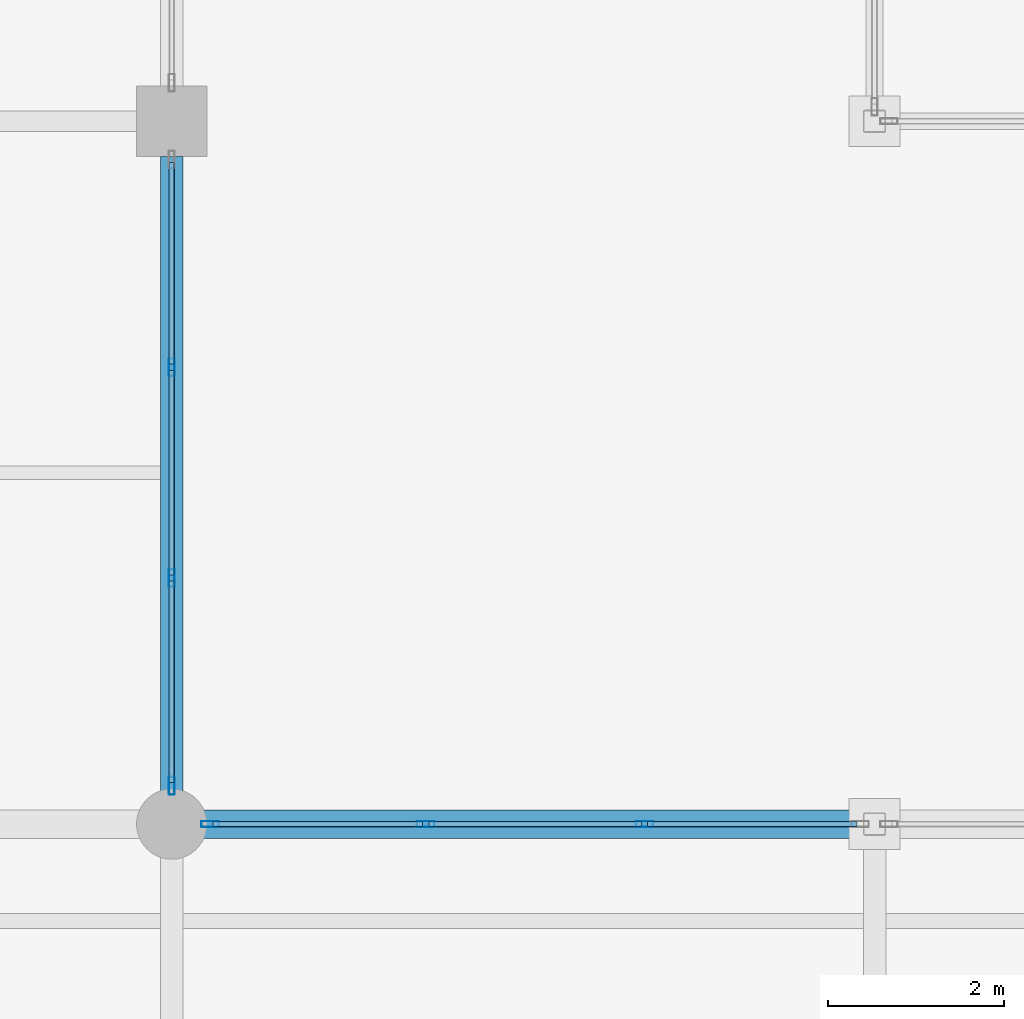
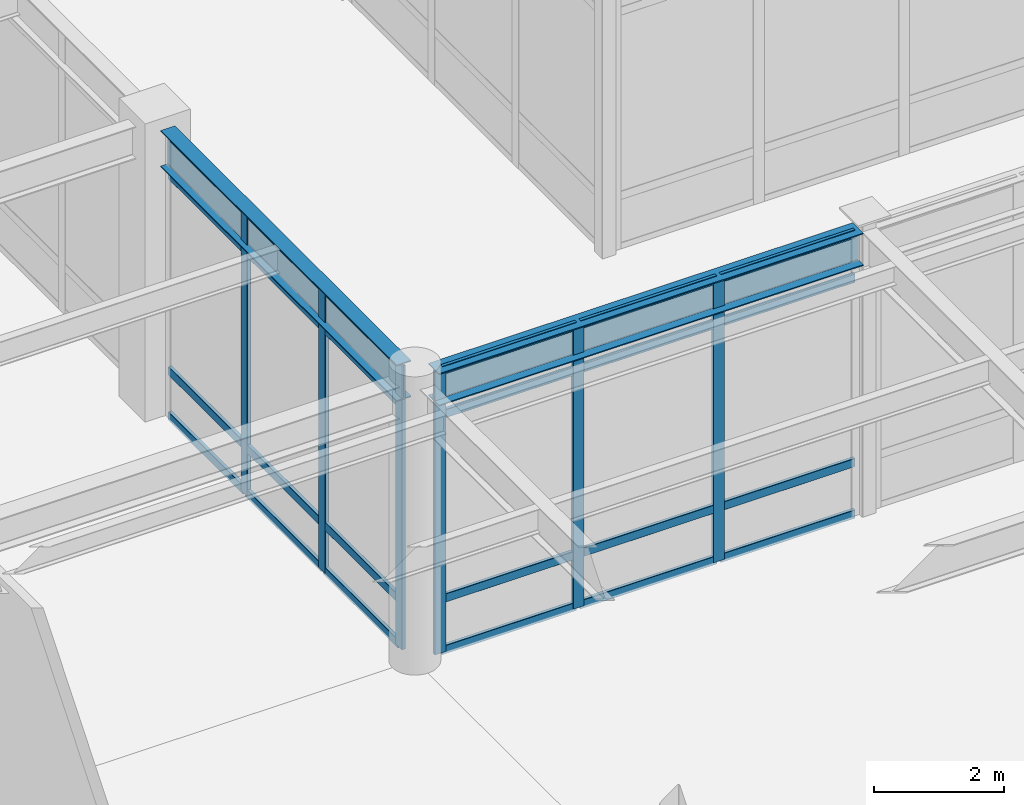
# One storey, part 53 of 128: 30 members, 2 beams, 2 elements without a shape of their own.
"""IFC4 building model written with IfcOpenShell, lengths in metres."""

from ifc_helpers import new_model, si_unit, direction, frame, origin, origin_2d, place, context, subcontext, project, spatial, hollow_rectangle, i_section, extrude, material, material_profile, profile_set, type_object, element, aggregate, save


model = new_model("IFC4")

# Units and contexts
model_context = context("Model", 3, precision=1e-05, world=origin(), true_north=direction((0.0, 1.0)))
body_context = subcontext(model_context, "Body", "Model", "MODEL_VIEW")
ifc_project = project(units=[si_unit("LENGTHUNIT", "METRE"), si_unit("AREAUNIT", "SQUARE_METRE"), si_unit("VOLUMEUNIT", "CUBIC_METRE"), si_unit("PLANEANGLEUNIT", "RADIAN"), si_unit("MASSUNIT", "GRAM", prefix="KILO")], contexts=[model_context])

# Site, building, storey
site_placement = place(None, origin())
site = spatial("IfcSite", under=ifc_project, at=site_placement, CompositionType="ELEMENT")
building_placement = place(site_placement, origin())
building = spatial("IfcBuilding", under=site, at=building_placement, Name="Solmirada Galleria", CompositionType="ELEMENT")
storey_placement = place(building_placement, origin())
storey = spatial("IfcBuildingStorey", under=building, at=storey_placement, Name="L00", CompositionType="ELEMENT", Elevation=0.0)

# Beams
ifc_material_1 = material(Name="Steel S355 / ASTM A992 Grade 50", Category="steel")
ifc_material_profile_1 = material_profile(ifc_material_1, i_section(OverallWidth=0.323974609375, OverallDepth=0.611083984375, WebThickness=0.0126953125, FlangeThickness=0.01904296875, FilletRadius=0.014892578125, at=origin_2d()), Name="W24X104")
ifc_profile_set_1 = profile_set([ifc_material_profile_1], Name="Steel S355 / ASTM A992 Grade 50")
beam_type_1 = type_object("IfcBeamType", Name="BM-GIRD-W24A", PredefinedType="BEAM", material=ifc_profile_set_1)
beam_1_placement = place(storey_placement, frame((112.3359375, 48.0, 5.054443359375), z_axis=(1.0, 0.0, 0.0), x_axis=(0.0, 1.0, 0.0)))
element("IfcBeam", 1, at=beam_1_placement, inside=storey, type_object=beam_type_1, Name="Primary beam L01 X(112..120, 48)", PredefinedType="BEAM", context=body_context, shape_type="SweptSolid", body=[
    extrude(i_section(OverallWidth=0.323974609375, OverallDepth=0.611083984375, WebThickness=0.0126953125, FlangeThickness=0.01904296875, FilletRadius=0.014892578125, at=origin_2d()), origin(), (0.0, 0.0, 1.0), 7.537109375),
])
ifc_material_profile_2 = material_profile(ifc_material_1, i_section(OverallWidth=0.25390625, OverallDepth=0.68408203125, WebThickness=0.012451171875, FlangeThickness=0.018798828125, FilletRadius=0.01708984375, at=origin_2d()), Name="W27X94")
ifc_profile_set_2 = profile_set([ifc_material_profile_2], Name="Steel S355 / ASTM A992 Grade 50")
beam_type_2 = type_object("IfcBeamType", Name="BM-GIRD-W27B", PredefinedType="BEAM", material=ifc_profile_set_2)
beam_2_placement = place(storey_placement, frame((112.0, 48.3359375, 5.0380859375), z_axis=(0.0, 1.0, 0.0), x_axis=(-1.0, 0.0, 0.0)))
element("IfcBeam", 2, at=beam_2_placement, inside=storey, type_object=beam_type_2, Name="Primary girder L01 Y(112, 48..56)", PredefinedType="BEAM", context=body_context, shape_type="SweptSolid", body=[
    extrude(i_section(OverallWidth=0.25390625, OverallDepth=0.68408203125, WebThickness=0.012451171875, FlangeThickness=0.018798828125, FilletRadius=0.01708984375, at=origin_2d()), origin(), (0.0, 0.0, 1.0), 7.26416015625),
])

# Curtain wall, members
ifc_material_2 = material(Name="Impact-resistant low-E double glazing", Category="glass")
curtain_wall_type_1 = type_object("IfcCurtainWallType", Name="CW-FZ3-L00-B3-L072", PredefinedType="NOTDEFINED", material=ifc_material_2)
curtain_wall_1_placement = place(storey_placement, origin())
curtain_wall_1 = element("IfcCurtainWall", 3, at=curtain_wall_1_placement, inside=storey, type_object=curtain_wall_type_1, Name="Terrace and arcade storefront CW-L00-018", PredefinedType="NOTDEFINED")
ifc_material_3 = material(Name="Anodised aluminium framing", Category="aluminium")
ifc_material_profile_3 = material_profile(ifc_material_3, hollow_rectangle(XDim=0.070068359375, YDim=0.199951171875, WallThickness=0.004150390625, InnerFilletRadius=0.004150390625, OuterFilletRadius=0.00830078125, at=origin_2d()), Name="ALU-MULL-200X70")
ifc_profile_set_3 = profile_set([ifc_material_profile_3], Name="Anodised aluminium framing")
member_type_1 = type_object("IfcMemberType", Name="CW-MULL-200", PredefinedType="MULLION", material=ifc_profile_set_3)
member_1_placement = place(storey_placement, frame((112.0, 53.19921875, 0.0), z_axis=(0.0, 0.0, 1.0), x_axis=(1.0, 0.0, 0.0)))
member_1 = element("IfcMember", 4, at=member_1_placement, type_object=member_type_1, Name="CW01 mullion 2", PredefinedType="MULLION", context=body_context, shape_type="SweptSolid", body=[
    extrude(hollow_rectangle(XDim=0.070068359375, YDim=0.199951171875, WallThickness=0.004150390625, InnerFilletRadius=0.004150390625, OuterFilletRadius=0.00830078125, at=origin_2d()), origin(), (0.0, 0.0, 1.0), 5.320068359375),
])
member_2_placement = place(storey_placement, frame((112.0, 50.80078125, 0.0), z_axis=(0.0, 0.0, 1.0), x_axis=(1.0, 0.0, 0.0)))
member_2 = element("IfcMember", 5, at=member_2_placement, type_object=member_type_1, Name="CW01 mullion 3", PredefinedType="MULLION", context=body_context, shape_type="SweptSolid", body=[
    extrude(hollow_rectangle(XDim=0.070068359375, YDim=0.199951171875, WallThickness=0.004150390625, InnerFilletRadius=0.004150390625, OuterFilletRadius=0.00830078125, at=origin_2d()), origin(), (0.0, 0.0, 1.0), 5.320068359375),
])
member_3_placement = place(storey_placement, frame((112.0, 48.43701171875, 0.0), z_axis=(0.0, 0.0, 1.0), x_axis=(1.0, 0.0, 0.0)))
member_3 = element("IfcMember", 6, at=member_3_placement, type_object=member_type_1, Name="CW01 mullion 4", PredefinedType="MULLION", context=body_context, shape_type="SweptSolid", body=[
    extrude(hollow_rectangle(XDim=0.070068359375, YDim=0.199951171875, WallThickness=0.004150390625, InnerFilletRadius=0.004150390625, OuterFilletRadius=0.00830078125, at=origin_2d()), origin(), (0.0, 0.0, 1.0), 5.320068359375),
])

curtain_wall_type_2 = type_object("IfcCurtainWallType", Name="CW-FZ5-L00-B3-L075", PredefinedType="NOTDEFINED", material=ifc_material_2)
curtain_wall_2_placement = place(storey_placement, origin())
curtain_wall_2 = element("IfcCurtainWall", 7, at=curtain_wall_2_placement, inside=storey, type_object=curtain_wall_type_2, Name="Terrace and arcade storefront CW-L00-019", PredefinedType="NOTDEFINED")
member_4_placement = place(storey_placement, frame((112.43701171875, 48.0, 0.0), z_axis=(0.0, 0.0, 1.0), x_axis=(0.0, 1.0, 0.0)))
member_4 = element("IfcMember", 8, at=member_4_placement, type_object=member_type_1, Name="CW07 mullion 1", PredefinedType="MULLION", context=body_context, shape_type="SweptSolid", body=[
    extrude(hollow_rectangle(XDim=0.070068359375, YDim=0.199951171875, WallThickness=0.004150390625, InnerFilletRadius=0.004150390625, OuterFilletRadius=0.00830078125, at=origin_2d()), origin(), (0.0, 0.0, 1.0), 5.320068359375),
])
member_5_placement = place(storey_placement, frame((114.8916015625, 48.0, 0.0), z_axis=(0.0, 0.0, 1.0), x_axis=(0.0, 1.0, 0.0)))
member_5 = element("IfcMember", 9, at=member_5_placement, type_object=member_type_1, Name="CW07 mullion 2", PredefinedType="MULLION", context=body_context, shape_type="SweptSolid", body=[
    extrude(hollow_rectangle(XDim=0.070068359375, YDim=0.199951171875, WallThickness=0.004150390625, InnerFilletRadius=0.004150390625, OuterFilletRadius=0.00830078125, at=origin_2d()), origin(), (0.0, 0.0, 1.0), 5.320068359375),
])
member_6_placement = place(storey_placement, frame((117.38134765625, 48.0, 0.0), z_axis=(0.0, 0.0, 1.0), x_axis=(0.0, 1.0, 0.0)))
member_6 = element("IfcMember", 10, at=member_6_placement, type_object=member_type_1, Name="CW07 mullion 3", PredefinedType="MULLION", context=body_context, shape_type="SweptSolid", body=[
    extrude(hollow_rectangle(XDim=0.070068359375, YDim=0.199951171875, WallThickness=0.004150390625, InnerFilletRadius=0.004150390625, OuterFilletRadius=0.00830078125, at=origin_2d()), origin(), (0.0, 0.0, 1.0), 5.320068359375),
])

# Member
ifc_material_profile_4 = material_profile(ifc_material_3, hollow_rectangle(XDim=0.06494140625, YDim=0.159912109375, WallThickness=0.00390625, InnerFilletRadius=0.00390625, OuterFilletRadius=0.007568359375, at=origin_2d()), Name="ALU-TRAN-160X65")
ifc_profile_set_4 = profile_set([ifc_material_profile_4], Name="Anodised aluminium framing")
member_type_2 = type_object("IfcMemberType", Name="CW-TRAN-160", PredefinedType="USERDEFINED", material=ifc_profile_set_4)
member_7_placement = place(storey_placement, frame((112.0, 55.528076171875, 0.032470703125), z_axis=(0.0, -1.0, 0.0), x_axis=(1.0, 0.0, 0.0)))
member_7 = element("IfcMember", 11, at=member_7_placement, type_object=member_type_2, Name="CW01 transom 1.1", ObjectType="TRANSOM", PredefinedType="USERDEFINED", context=body_context, shape_type="SweptSolid", body=[
    extrude(hollow_rectangle(XDim=0.06494140625, YDim=0.159912109375, WallThickness=0.00390625, InnerFilletRadius=0.00390625, OuterFilletRadius=0.007568359375, at=origin_2d()), origin(), (0.0, 0.0, 1.0), 2.293701171875),
])

member_8_placement = place(storey_placement, frame((112.0, 55.528076171875, 0.8798828125), z_axis=(0.0, -1.0, 0.0), x_axis=(1.0, 0.0, 0.0)))
member_8 = element("IfcMember", 12, at=member_8_placement, type_object=member_type_2, Name="CW01 transom 1.2", ObjectType="TRANSOM", PredefinedType="USERDEFINED", context=body_context, shape_type="SweptSolid", body=[
    extrude(hollow_rectangle(XDim=0.06494140625, YDim=0.159912109375, WallThickness=0.00390625, InnerFilletRadius=0.00390625, OuterFilletRadius=0.007568359375, at=origin_2d()), origin(), (0.0, 0.0, 1.0), 2.293701171875),
])

member_9_placement = place(storey_placement, frame((112.0, 55.528076171875, 4.56005859375), z_axis=(0.0, -1.0, 0.0), x_axis=(1.0, 0.0, 0.0)))
member_9 = element("IfcMember", 13, at=member_9_placement, type_object=member_type_2, Name="CW01 transom 1.3", ObjectType="TRANSOM", PredefinedType="USERDEFINED", context=body_context, shape_type="SweptSolid", body=[
    extrude(hollow_rectangle(XDim=0.06494140625, YDim=0.159912109375, WallThickness=0.00390625, InnerFilletRadius=0.00390625, OuterFilletRadius=0.007568359375, at=origin_2d()), origin(), (0.0, 0.0, 1.0), 2.293701171875),
])

member_10_placement = place(storey_placement, frame((112.0, 55.528076171875, 5.28759765625), z_axis=(0.0, -1.0, 0.0), x_axis=(1.0, 0.0, 0.0)))
member_10 = element("IfcMember", 14, at=member_10_placement, type_object=member_type_2, Name="CW01 transom 1.4", ObjectType="TRANSOM", PredefinedType="USERDEFINED", context=body_context, shape_type="SweptSolid", body=[
    extrude(hollow_rectangle(XDim=0.06494140625, YDim=0.159912109375, WallThickness=0.00390625, InnerFilletRadius=0.00390625, OuterFilletRadius=0.007568359375, at=origin_2d()), origin(), (0.0, 0.0, 1.0), 2.293701171875),
])

member_11_placement = place(storey_placement, frame((112.0, 53.164306640625, 0.032470703125), z_axis=(0.0, -1.0, 0.0), x_axis=(1.0, 0.0, 0.0)))
member_11 = element("IfcMember", 15, at=member_11_placement, type_object=member_type_2, Name="CW01 transom 2.1", ObjectType="TRANSOM", PredefinedType="USERDEFINED", context=body_context, shape_type="SweptSolid", body=[
    extrude(hollow_rectangle(XDim=0.06494140625, YDim=0.159912109375, WallThickness=0.00390625, InnerFilletRadius=0.00390625, OuterFilletRadius=0.007568359375, at=origin_2d()), origin(), (0.0, 0.0, 1.0), 2.32861328125),
])

member_12_placement = place(storey_placement, frame((112.0, 53.164306640625, 0.8798828125), z_axis=(0.0, -1.0, 0.0), x_axis=(1.0, 0.0, 0.0)))
member_12 = element("IfcMember", 16, at=member_12_placement, type_object=member_type_2, Name="CW01 transom 2.2", ObjectType="TRANSOM", PredefinedType="USERDEFINED", context=body_context, shape_type="SweptSolid", body=[
    extrude(hollow_rectangle(XDim=0.06494140625, YDim=0.159912109375, WallThickness=0.00390625, InnerFilletRadius=0.00390625, OuterFilletRadius=0.007568359375, at=origin_2d()), origin(), (0.0, 0.0, 1.0), 2.32861328125),
])

member_13_placement = place(storey_placement, frame((112.0, 53.164306640625, 4.56005859375), z_axis=(0.0, -1.0, 0.0), x_axis=(1.0, 0.0, 0.0)))
member_13 = element("IfcMember", 17, at=member_13_placement, type_object=member_type_2, Name="CW01 transom 2.3", ObjectType="TRANSOM", PredefinedType="USERDEFINED", context=body_context, shape_type="SweptSolid", body=[
    extrude(hollow_rectangle(XDim=0.06494140625, YDim=0.159912109375, WallThickness=0.00390625, InnerFilletRadius=0.00390625, OuterFilletRadius=0.007568359375, at=origin_2d()), origin(), (0.0, 0.0, 1.0), 2.32861328125),
])

member_14_placement = place(storey_placement, frame((112.0, 53.164306640625, 5.28759765625), z_axis=(0.0, -1.0, 0.0), x_axis=(1.0, 0.0, 0.0)))
member_14 = element("IfcMember", 18, at=member_14_placement, type_object=member_type_2, Name="CW01 transom 2.4", ObjectType="TRANSOM", PredefinedType="USERDEFINED", context=body_context, shape_type="SweptSolid", body=[
    extrude(hollow_rectangle(XDim=0.06494140625, YDim=0.159912109375, WallThickness=0.00390625, InnerFilletRadius=0.00390625, OuterFilletRadius=0.007568359375, at=origin_2d()), origin(), (0.0, 0.0, 1.0), 2.32861328125),
])

member_15_placement = place(storey_placement, frame((112.0, 50.765625, 0.032470703125), z_axis=(0.0, -1.0, 0.0), x_axis=(1.0, 0.0, 0.0)))
member_15 = element("IfcMember", 19, at=member_15_placement, type_object=member_type_2, Name="CW01 transom 3.1", ObjectType="TRANSOM", PredefinedType="USERDEFINED", context=body_context, shape_type="SweptSolid", body=[
    extrude(hollow_rectangle(XDim=0.06494140625, YDim=0.159912109375, WallThickness=0.00390625, InnerFilletRadius=0.00390625, OuterFilletRadius=0.007568359375, at=origin_2d()), origin(), (0.0, 0.0, 1.0), 2.293701171875),
])

member_16_placement = place(storey_placement, frame((112.0, 50.765625, 0.8798828125), z_axis=(0.0, -1.0, 0.0), x_axis=(1.0, 0.0, 0.0)))
member_16 = element("IfcMember", 20, at=member_16_placement, type_object=member_type_2, Name="CW01 transom 3.2", ObjectType="TRANSOM", PredefinedType="USERDEFINED", context=body_context, shape_type="SweptSolid", body=[
    extrude(hollow_rectangle(XDim=0.06494140625, YDim=0.159912109375, WallThickness=0.00390625, InnerFilletRadius=0.00390625, OuterFilletRadius=0.007568359375, at=origin_2d()), origin(), (0.0, 0.0, 1.0), 2.293701171875),
])

member_17_placement = place(storey_placement, frame((112.0, 50.765625, 4.56005859375), z_axis=(0.0, -1.0, 0.0), x_axis=(1.0, 0.0, 0.0)))
member_17 = element("IfcMember", 21, at=member_17_placement, type_object=member_type_2, Name="CW01 transom 3.3", ObjectType="TRANSOM", PredefinedType="USERDEFINED", context=body_context, shape_type="SweptSolid", body=[
    extrude(hollow_rectangle(XDim=0.06494140625, YDim=0.159912109375, WallThickness=0.00390625, InnerFilletRadius=0.00390625, OuterFilletRadius=0.007568359375, at=origin_2d()), origin(), (0.0, 0.0, 1.0), 2.293701171875),
])

member_18_placement = place(storey_placement, frame((112.0, 50.765625, 5.28759765625), z_axis=(0.0, -1.0, 0.0), x_axis=(1.0, 0.0, 0.0)))
member_18 = element("IfcMember", 22, at=member_18_placement, type_object=member_type_2, Name="CW01 transom 3.4", ObjectType="TRANSOM", PredefinedType="USERDEFINED", context=body_context, shape_type="SweptSolid", body=[
    extrude(hollow_rectangle(XDim=0.06494140625, YDim=0.159912109375, WallThickness=0.00390625, InnerFilletRadius=0.00390625, OuterFilletRadius=0.007568359375, at=origin_2d()), origin(), (0.0, 0.0, 1.0), 2.293701171875),
])

aggregate(curtain_wall_1, [member_1, member_2, member_3, member_7, member_8, member_9, member_10, member_11, member_12, member_13, member_14, member_15, member_16, member_17, member_18])

member_19_placement = place(storey_placement, frame((112.471923828125, 48.0, 0.032470703125), z_axis=(1.0, 0.0, 0.0), x_axis=(0.0, 1.0, 0.0)))
member_19 = element("IfcMember", 23, at=member_19_placement, type_object=member_type_2, Name="CW07 transom 1.1", ObjectType="TRANSOM", PredefinedType="USERDEFINED", context=body_context, shape_type="SweptSolid", body=[
    extrude(hollow_rectangle(XDim=0.06494140625, YDim=0.159912109375, WallThickness=0.00390625, InnerFilletRadius=0.00390625, OuterFilletRadius=0.007568359375, at=origin_2d()), origin(), (0.0, 0.0, 1.0), 2.384765625),
])

member_20_placement = place(storey_placement, frame((112.471923828125, 48.0, 1.0), z_axis=(1.0, 0.0, 0.0), x_axis=(0.0, 1.0, 0.0)))
member_20 = element("IfcMember", 24, at=member_20_placement, type_object=member_type_2, Name="CW07 transom 1.2", ObjectType="TRANSOM", PredefinedType="USERDEFINED", context=body_context, shape_type="SweptSolid", body=[
    extrude(hollow_rectangle(XDim=0.06494140625, YDim=0.159912109375, WallThickness=0.00390625, InnerFilletRadius=0.00390625, OuterFilletRadius=0.007568359375, at=origin_2d()), origin(), (0.0, 0.0, 1.0), 2.384765625),
])

member_21_placement = place(storey_placement, frame((112.471923828125, 48.0, 4.4599609375), z_axis=(1.0, 0.0, 0.0), x_axis=(0.0, 1.0, 0.0)))
member_21 = element("IfcMember", 25, at=member_21_placement, type_object=member_type_2, Name="CW07 transom 1.3", ObjectType="TRANSOM", PredefinedType="USERDEFINED", context=body_context, shape_type="SweptSolid", body=[
    extrude(hollow_rectangle(XDim=0.06494140625, YDim=0.159912109375, WallThickness=0.00390625, InnerFilletRadius=0.00390625, OuterFilletRadius=0.007568359375, at=origin_2d()), origin(), (0.0, 0.0, 1.0), 2.384765625),
])

member_22_placement = place(storey_placement, frame((112.471923828125, 48.0, 5.28759765625), z_axis=(1.0, 0.0, 0.0), x_axis=(0.0, 1.0, 0.0)))
member_22 = element("IfcMember", 26, at=member_22_placement, type_object=member_type_2, Name="CW07 transom 1.4", ObjectType="TRANSOM", PredefinedType="USERDEFINED", context=body_context, shape_type="SweptSolid", body=[
    extrude(hollow_rectangle(XDim=0.06494140625, YDim=0.159912109375, WallThickness=0.00390625, InnerFilletRadius=0.00390625, OuterFilletRadius=0.007568359375, at=origin_2d()), origin(), (0.0, 0.0, 1.0), 2.384765625),
])

member_23_placement = place(storey_placement, frame((114.9267578125, 48.0, 0.032470703125), z_axis=(1.0, 0.0, 0.0), x_axis=(0.0, 1.0, 0.0)))
member_23 = element("IfcMember", 27, at=member_23_placement, type_object=member_type_2, Name="CW07 transom 2.1", ObjectType="TRANSOM", PredefinedType="USERDEFINED", context=body_context, shape_type="SweptSolid", body=[
    extrude(hollow_rectangle(XDim=0.06494140625, YDim=0.159912109375, WallThickness=0.00390625, InnerFilletRadius=0.00390625, OuterFilletRadius=0.007568359375, at=origin_2d()), origin(), (0.0, 0.0, 1.0), 2.419677734375),
])

member_24_placement = place(storey_placement, frame((114.9267578125, 48.0, 1.0), z_axis=(1.0, 0.0, 0.0), x_axis=(0.0, 1.0, 0.0)))
member_24 = element("IfcMember", 28, at=member_24_placement, type_object=member_type_2, Name="CW07 transom 2.2", ObjectType="TRANSOM", PredefinedType="USERDEFINED", context=body_context, shape_type="SweptSolid", body=[
    extrude(hollow_rectangle(XDim=0.06494140625, YDim=0.159912109375, WallThickness=0.00390625, InnerFilletRadius=0.00390625, OuterFilletRadius=0.007568359375, at=origin_2d()), origin(), (0.0, 0.0, 1.0), 2.419677734375),
])

member_25_placement = place(storey_placement, frame((114.9267578125, 48.0, 4.4599609375), z_axis=(1.0, 0.0, 0.0), x_axis=(0.0, 1.0, 0.0)))
member_25 = element("IfcMember", 29, at=member_25_placement, type_object=member_type_2, Name="CW07 transom 2.3", ObjectType="TRANSOM", PredefinedType="USERDEFINED", context=body_context, shape_type="SweptSolid", body=[
    extrude(hollow_rectangle(XDim=0.06494140625, YDim=0.159912109375, WallThickness=0.00390625, InnerFilletRadius=0.00390625, OuterFilletRadius=0.007568359375, at=origin_2d()), origin(), (0.0, 0.0, 1.0), 2.419677734375),
])

member_26_placement = place(storey_placement, frame((114.9267578125, 48.0, 5.28759765625), z_axis=(1.0, 0.0, 0.0), x_axis=(0.0, 1.0, 0.0)))
member_26 = element("IfcMember", 30, at=member_26_placement, type_object=member_type_2, Name="CW07 transom 2.4", ObjectType="TRANSOM", PredefinedType="USERDEFINED", context=body_context, shape_type="SweptSolid", body=[
    extrude(hollow_rectangle(XDim=0.06494140625, YDim=0.159912109375, WallThickness=0.00390625, InnerFilletRadius=0.00390625, OuterFilletRadius=0.007568359375, at=origin_2d()), origin(), (0.0, 0.0, 1.0), 2.419677734375),
])

member_27_placement = place(storey_placement, frame((117.416259765625, 48.0, 0.032470703125), z_axis=(1.0, 0.0, 0.0), x_axis=(0.0, 1.0, 0.0)))
member_27 = element("IfcMember", 31, at=member_27_placement, type_object=member_type_2, Name="CW07 transom 3.1", ObjectType="TRANSOM", PredefinedType="USERDEFINED", context=body_context, shape_type="SweptSolid", body=[
    extrude(hollow_rectangle(XDim=0.06494140625, YDim=0.159912109375, WallThickness=0.00390625, InnerFilletRadius=0.00390625, OuterFilletRadius=0.007568359375, at=origin_2d()), origin(), (0.0, 0.0, 1.0), 2.384765625),
])

member_28_placement = place(storey_placement, frame((117.416259765625, 48.0, 1.0), z_axis=(1.0, 0.0, 0.0), x_axis=(0.0, 1.0, 0.0)))
member_28 = element("IfcMember", 32, at=member_28_placement, type_object=member_type_2, Name="CW07 transom 3.2", ObjectType="TRANSOM", PredefinedType="USERDEFINED", context=body_context, shape_type="SweptSolid", body=[
    extrude(hollow_rectangle(XDim=0.06494140625, YDim=0.159912109375, WallThickness=0.00390625, InnerFilletRadius=0.00390625, OuterFilletRadius=0.007568359375, at=origin_2d()), origin(), (0.0, 0.0, 1.0), 2.384765625),
])

member_29_placement = place(storey_placement, frame((117.416259765625, 48.0, 4.4599609375), z_axis=(1.0, 0.0, 0.0), x_axis=(0.0, 1.0, 0.0)))
member_29 = element("IfcMember", 33, at=member_29_placement, type_object=member_type_2, Name="CW07 transom 3.3", ObjectType="TRANSOM", PredefinedType="USERDEFINED", context=body_context, shape_type="SweptSolid", body=[
    extrude(hollow_rectangle(XDim=0.06494140625, YDim=0.159912109375, WallThickness=0.00390625, InnerFilletRadius=0.00390625, OuterFilletRadius=0.007568359375, at=origin_2d()), origin(), (0.0, 0.0, 1.0), 2.384765625),
])

member_30_placement = place(storey_placement, frame((117.416259765625, 48.0, 5.28759765625), z_axis=(1.0, 0.0, 0.0), x_axis=(0.0, 1.0, 0.0)))
member_30 = element("IfcMember", 34, at=member_30_placement, type_object=member_type_2, Name="CW07 transom 3.4", ObjectType="TRANSOM", PredefinedType="USERDEFINED", context=body_context, shape_type="SweptSolid", body=[
    extrude(hollow_rectangle(XDim=0.06494140625, YDim=0.159912109375, WallThickness=0.00390625, InnerFilletRadius=0.00390625, OuterFilletRadius=0.007568359375, at=origin_2d()), origin(), (0.0, 0.0, 1.0), 2.384765625),
])

aggregate(curtain_wall_2, [member_4, member_5, member_6, member_19, member_20, member_21, member_22, member_23, member_24, member_25, member_26, member_27, member_28, member_29, member_30])

save(model, "model.ifc")
